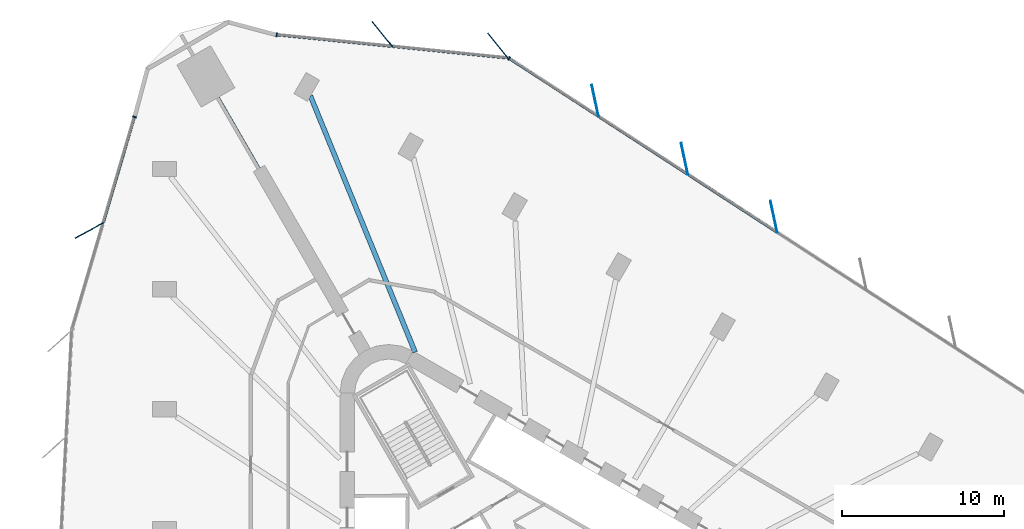
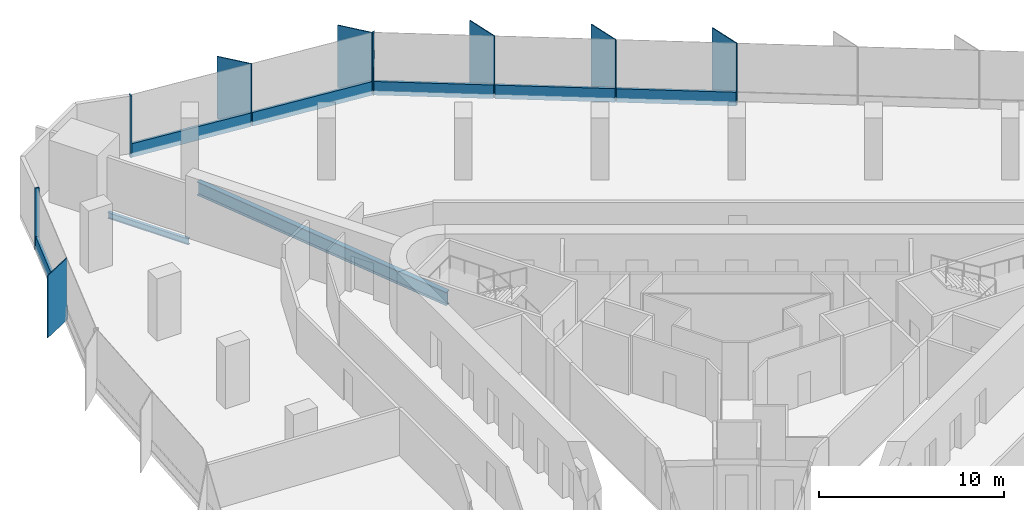
# One storey, part 7 of 14: 15 members, 2 beams, 3 elements without a shape of their own.
"""IFC4 building model written with IfcOpenShell, lengths in metres."""

from ifc_helpers import new_model, si_unit, direction, frame, origin, origin_2d, place, context, subcontext, project, spatial, rectangle, i_section, extrude, material, material_profile, profile_set, type_object, element, aggregate, save


model = new_model("IFC4")

# Units and contexts
model_context = context("Model", 3, precision=1e-05, world=origin(), true_north=direction((0.0, 1.0)))
body_context = subcontext(model_context, "Body", "Model", "MODEL_VIEW")
ifc_project = project(units=[si_unit("LENGTHUNIT", "METRE"), si_unit("AREAUNIT", "SQUARE_METRE"), si_unit("VOLUMEUNIT", "CUBIC_METRE"), si_unit("PLANEANGLEUNIT", "RADIAN"), si_unit("MASSUNIT", "GRAM", prefix="KILO")], contexts=[model_context])

# Site, building, storey
site_placement = place(None, origin())
site = spatial("IfcSite", under=ifc_project, at=site_placement, CompositionType="ELEMENT")
building_placement = place(site_placement, origin())
building = spatial("IfcBuilding", under=site, at=building_placement, Name="Tanit Gate Tower", CompositionType="ELEMENT")
storey_placement = place(building_placement, frame((0.0, 0.0, 111.10009765625)))
storey = spatial("IfcBuildingStorey", under=building, at=storey_placement, Name="L23", CompositionType="ELEMENT", Elevation=111.10009765625)

# Curtain wall, members
ifc_material_1 = material(Name="Aluminium bronze anodised and glass", Category="aluminium")
curtain_wall_type = type_object("IfcCurtainWallType", Name="Curtain wall typical low", PredefinedType="NOTDEFINED", material=ifc_material_1)
curtain_wall_1_placement = place(storey_placement, origin())
curtain_wall_1 = element("IfcCurtainWall", 1, at=curtain_wall_1_placement, inside=storey, type_object=curtain_wall_type, Name="Curtain wall L23 NE2", PredefinedType="NOTDEFINED")
ifc_material_2 = material(Name="Aluminium bronze anodised", Category="aluminium")
ifc_material_profile_1 = material_profile(ifc_material_2, rectangle(XDim=2.0, YDim=0.055908203125, at=origin_2d()), Name="56x2000 bronze fin mullion")
ifc_profile_set_1 = profile_set([ifc_material_profile_1], Name="Aluminium bronze anodised")
member_type_1 = type_object("IfcMemberType", Name="FIN MULLION 56x2000 bronze", PredefinedType="MULLION", material=ifc_profile_set_1)
member_1_placement = place(storey_placement, frame((14.614990234375, 26.619873046875, -0.300048828125), z_axis=(0.0, 0.0, 1.0), x_axis=(0.208237849046, -0.978078216824, 0.0)))
member_1 = element("IfcMember", 2, at=member_1_placement, type_object=member_type_1, Name="Fin mullion L23 NE2.4", PredefinedType="MULLION", context=body_context, shape_type="SweptSolid", body=[
    extrude(rectangle(XDim=2.0, YDim=0.055908203125, at=origin_2d()), origin(), (0.0, 0.0, 1.0), 4.099853515625),
])
member_2_placement = place(storey_placement, frame((9.114013671875, 30.189453125, -0.300048828125), z_axis=(0.0, 0.0, 1.0), x_axis=(0.208237849046, -0.978078216824, 0.0)))
member_2 = element("IfcMember", 3, at=member_2_placement, type_object=member_type_1, Name="Fin mullion L23 NE2.5", PredefinedType="MULLION", context=body_context, shape_type="SweptSolid", body=[
    extrude(rectangle(XDim=2.0, YDim=0.055908203125, at=origin_2d()), origin(), (0.0, 0.0, 1.0), 4.099853515625),
])
member_3_placement = place(storey_placement, frame((3.613037109375, 33.75927734375, -0.300048828125), z_axis=(0.0, 0.0, 1.0), x_axis=(0.208237849046, -0.978078216824, 0.0)))
member_3 = element("IfcMember", 4, at=member_3_placement, type_object=member_type_1, Name="Fin mullion L23 NE2.6", PredefinedType="MULLION", context=body_context, shape_type="SweptSolid", body=[
    extrude(rectangle(XDim=2.0, YDim=0.055908203125, at=origin_2d()), origin(), (0.0, 0.0, 1.0), 4.099853515625),
])

curtain_wall_2_placement = place(storey_placement, origin())
curtain_wall_2 = element("IfcCurtainWall", 5, at=curtain_wall_2_placement, inside=storey, type_object=curtain_wall_type, Name="Curtain wall L23 NE3", PredefinedType="NOTDEFINED")
member_4_placement = place(storey_placement, frame((-2.376220703125, 37.155517578125, -0.300048828125), z_axis=(0.0, 0.0, 1.0), x_axis=(0.632883352429, -0.774247158353, 0.0)))
member_4 = element("IfcMember", 6, at=member_4_placement, type_object=member_type_1, Name="Fin mullion L23 NE3.1", PredefinedType="MULLION", context=body_context, shape_type="SweptSolid", body=[
    extrude(rectangle(XDim=2.0, YDim=0.055908203125, at=origin_2d()), origin(), (0.0, 0.0, 1.0), 4.099853515625),
])
member_5_placement = place(storey_placement, frame((-9.49658203125, 37.870849609375, -0.300048828125), z_axis=(0.0, 0.0, 1.0), x_axis=(0.632883352429, -0.774247158353, 0.0)))
member_5 = element("IfcMember", 7, at=member_5_placement, type_object=member_type_1, Name="Fin mullion L23 NE3.2", PredefinedType="MULLION", context=body_context, shape_type="SweptSolid", body=[
    extrude(rectangle(XDim=2.0, YDim=0.055908203125, at=origin_2d()), origin(), (0.0, 0.0, 1.0), 4.099853515625),
])

# Curtain wall, member
curtain_wall_3_placement = place(storey_placement, origin())
curtain_wall_3 = element("IfcCurtainWall", 8, at=curtain_wall_3_placement, inside=storey, type_object=curtain_wall_type, Name="Curtain wall L23 W1", PredefinedType="NOTDEFINED")
member_6_placement = place(storey_placement, frame((-27.53466796875, 25.783203125, -0.300048828125), z_axis=(0.0, 0.0, 1.0), x_axis=(0.878074365831, 0.478524197999, 0.0)))
member_6 = element("IfcMember", 9, at=member_6_placement, type_object=member_type_1, Name="Fin mullion L23 W1.2", PredefinedType="MULLION", context=body_context, shape_type="SweptSolid", body=[
    extrude(rectangle(XDim=2.0, YDim=0.055908203125, at=origin_2d()), origin(), (0.0, 0.0, 1.0), 4.099853515625),
])

# Member
ifc_material_3 = material(Name="Aluminium bronze anodised", Category="aluminium")
ifc_material_profile_2 = material_profile(ifc_material_3, rectangle(XDim=0.239990234375, YDim=0.080078125, at=origin_2d()), Name="80x240 bronze mullion")
ifc_profile_set_2 = profile_set([ifc_material_profile_2], Name="Aluminium bronze anodised")
member_type_2 = type_object("IfcMemberType", Name="Mullion 80x240 typical low", PredefinedType="MULLION", material=ifc_profile_set_2)
member_7_placement = place(storey_placement, frame((-1.684326171875, 36.373046875, -0.300048828125), z_axis=(0.0, 0.0, 1.0), x_axis=(-0.544359344487, -0.838852134807, 0.0)))
member_7 = element("IfcMember", 10, at=member_7_placement, type_object=member_type_2, Name="Mullion L23 NE2.7", PredefinedType="MULLION", context=body_context, shape_type="SweptSolid", body=[
    extrude(rectangle(XDim=0.239990234375, YDim=0.080078125, at=origin_2d()), origin(), (0.0, 0.0, 1.0), 4.099853515625),
])

member_8_placement = place(storey_placement, frame((-15.998291015625, 37.82958984375, -0.300048828125), z_axis=(0.0, 0.0, 1.0), x_axis=(-0.099959305783, -0.994991526189, 0.0)))
member_8 = element("IfcMember", 11, at=member_8_placement, type_object=member_type_2, Name="Mullion L23 NE3.3", PredefinedType="MULLION", context=body_context, shape_type="SweptSolid", body=[
    extrude(rectangle(XDim=0.239990234375, YDim=0.080078125, at=origin_2d()), origin(), (0.0, 0.0, 1.0), 4.099853515625),
])

member_9_placement = place(storey_placement, frame((-24.7548828125, 32.77587890625, -0.300048828125), z_axis=(0.0, 0.0, 1.0), x_axis=(0.959260043832, -0.282524633098, 0.0)))
member_9 = element("IfcMember", 12, at=member_9_placement, type_object=member_type_2, Name="Mullion L23 W1.1", PredefinedType="MULLION", context=body_context, shape_type="SweptSolid", body=[
    extrude(rectangle(XDim=0.239990234375, YDim=0.080078125, at=origin_2d()), origin(), (0.0, 0.0, 1.0), 4.099853515625),
])

# Beams
ifc_material_4 = material(Name="Steel S355", Category="steel")
ifc_material_profile_3 = material_profile(ifc_material_4, i_section(OverallWidth=0.300048828125, OverallDepth=0.889892578125, WebThickness=0.01611328125, FlangeThickness=0.030029296875, FilletRadius=0.030029296875, at=origin_2d()), Name="HEA 900")
ifc_profile_set_3 = profile_set([ifc_material_profile_3], Name="Steel S355")
beam_type_1 = type_object("IfcBeamType", Name="RADIAL GIRDER HEA 900 S355", PredefinedType="BEAM", material=ifc_profile_set_3)
beam_1_placement = place(storey_placement, frame((-13.9228515625, 34.06640625, -0.7451171875), z_axis=(0.378315448854, -0.925676736857, 0.0), x_axis=(0.925676736857, 0.378315448854, 0.0)))
element("IfcBeam", 13, at=beam_1_placement, inside=storey, type_object=beam_type_1, Name="RADIAL GIRDER", PredefinedType="BEAM", context=body_context, shape_type="SweptSolid", body=[
    extrude(i_section(OverallWidth=0.300048828125, OverallDepth=0.889892578125, WebThickness=0.01611328125, FlangeThickness=0.030029296875, FilletRadius=0.030029296875, at=origin_2d()), origin(), (0.0, 0.0, 1.0), 17.043212890625),
])
ifc_material_5 = material(Name="Steel S355", Category="steel")
ifc_material_profile_4 = material_profile(ifc_material_5, i_section(OverallWidth=0.179931640625, OverallDepth=0.39990234375, WebThickness=0.008544921875, FlangeThickness=0.013427734375, FilletRadius=0.02099609375, at=origin_2d()), Name="IPE 400")
ifc_profile_set_4 = profile_set([ifc_material_profile_4], Name="Steel S355")
beam_type_2 = type_object("IfcBeamType", Name="RADIAL GIRDER IPE 400 S355", PredefinedType="BEAM", material=ifc_profile_set_4)
beam_2_placement = place(storey_placement, frame((-19.611572265625, 33.96826171875, -0.5), z_axis=(0.499994660107, -0.866028486751, 0.0), x_axis=(0.866028486751, 0.499994660107, 0.0)))
element("IfcBeam", 14, at=beam_2_placement, inside=storey, type_object=beam_type_2, Name="RADIAL GIRDER", PredefinedType="BEAM", context=body_context, shape_type="SweptSolid", body=[
    extrude(i_section(OverallWidth=0.179931640625, OverallDepth=0.39990234375, WebThickness=0.008544921875, FlangeThickness=0.013427734375, FilletRadius=0.02099609375, at=origin_2d()), origin(), (0.0, 0.0, 1.0), 5.04638671875),
])

# Member
ifc_material_6 = material(Name="Aluminium bronze anodised", Category="aluminium")
ifc_material_profile_5 = material_profile(ifc_material_6, rectangle(XDim=0.159912109375, YDim=0.89990234375, at=origin_2d()), Name="160x900 bronze transom")
ifc_profile_set_5 = profile_set([ifc_material_profile_5], Name="Aluminium bronze anodised")
member_type_3 = type_object("IfcMemberType", Name="Transom 160x900 typical low", PredefinedType="USERDEFINED", material=ifc_profile_set_5)
member_10_placement = place(storey_placement, frame((14.784912109375, 25.685546875, 0.14990234375), z_axis=(-0.838840352017, 0.544377501214, 0.0), x_axis=(-0.544377501214, -0.838840352017, 0.0)))
member_10 = element("IfcMember", 15, at=member_10_placement, type_object=member_type_3, Name="Transom L23 NE2.4", ObjectType="TRANSOM", PredefinedType="USERDEFINED", context=body_context, shape_type="SweptSolid", body=[
    extrude(rectangle(XDim=0.159912109375, YDim=0.89990234375, at=origin_2d()), origin(), (0.0, 0.0, 1.0), 6.477783203125),
])

member_11_placement = place(storey_placement, frame((9.283935546875, 29.25537109375, 0.14990234375), z_axis=(-0.838857562398, 0.544350980533, 0.0), x_axis=(-0.544350980533, -0.838857562398, 0.0)))
member_11 = element("IfcMember", 16, at=member_11_placement, type_object=member_type_3, Name="Transom L23 NE2.5", ObjectType="TRANSOM", PredefinedType="USERDEFINED", context=body_context, shape_type="SweptSolid", body=[
    extrude(rectangle(XDim=0.159912109375, YDim=0.89990234375, at=origin_2d()), origin(), (0.0, 0.0, 1.0), 6.477783203125),
])

member_12_placement = place(storey_placement, frame((3.782958984375, 32.8251953125, 0.14990234375), z_axis=(-0.838857562398, 0.544350980533, 0.0), x_axis=(-0.544350980533, -0.838857562398, 0.0)))
member_12 = element("IfcMember", 17, at=member_12_placement, type_object=member_type_3, Name="Transom L23 NE2.6", ObjectType="TRANSOM", PredefinedType="USERDEFINED", context=body_context, shape_type="SweptSolid", body=[
    extrude(rectangle(XDim=0.159912109375, YDim=0.89990234375, at=origin_2d()), origin(), (0.0, 0.0, 1.0), 6.477783203125),
])

aggregate(curtain_wall_1, [member_1, member_2, member_3, member_7, member_10, member_11, member_12])

member_13_placement = place(storey_placement, frame((-1.797607421875, 36.40283203125, 0.14990234375), z_axis=(-0.994992339953, 0.099951205272, 0.0), x_axis=(-0.099951205272, -0.994992339953, 0.0)))
member_13 = element("IfcMember", 18, at=member_13_placement, type_object=member_type_3, Name="Transom L23 NE3.1", ObjectType="TRANSOM", PredefinedType="USERDEFINED", context=body_context, shape_type="SweptSolid", body=[
    extrude(rectangle(XDim=0.159912109375, YDim=0.89990234375, at=origin_2d()), origin(), (0.0, 0.0, 1.0), 7.076171875),
])

member_14_placement = place(storey_placement, frame((-8.91796875, 37.1181640625, 0.14990234375), z_axis=(-0.994991995255, 0.099954636599, 0.0), x_axis=(-0.099954636599, -0.994991995255, 0.0)))
member_14 = element("IfcMember", 19, at=member_14_placement, type_object=member_type_3, Name="Transom L23 NE3.2", ObjectType="TRANSOM", PredefinedType="USERDEFINED", context=body_context, shape_type="SweptSolid", body=[
    extrude(rectangle(XDim=0.159912109375, YDim=0.89990234375, at=origin_2d()), origin(), (0.0, 0.0, 1.0), 7.075927734375),
])

aggregate(curtain_wall_2, [member_4, member_5, member_8, member_13, member_14])

member_15_placement = place(storey_placement, frame((-24.76611328125, 32.737548828125, 0.14990234375), z_axis=(-0.282526140656, -0.95925959982, 0.0), x_axis=(0.95925959982, -0.282526140656, 0.0)))
member_15 = element("IfcMember", 20, at=member_15_placement, type_object=member_type_3, Name="Transom L23 W1.1", ObjectType="TRANSOM", PredefinedType="USERDEFINED", context=body_context, shape_type="SweptSolid", body=[
    extrude(rectangle(XDim=0.159912109375, YDim=0.89990234375, at=origin_2d()), origin(), (0.0, 0.0, 1.0), 6.72216796875),
])

aggregate(curtain_wall_3, [member_9, member_6, member_15])

save(model, "model.ifc")
